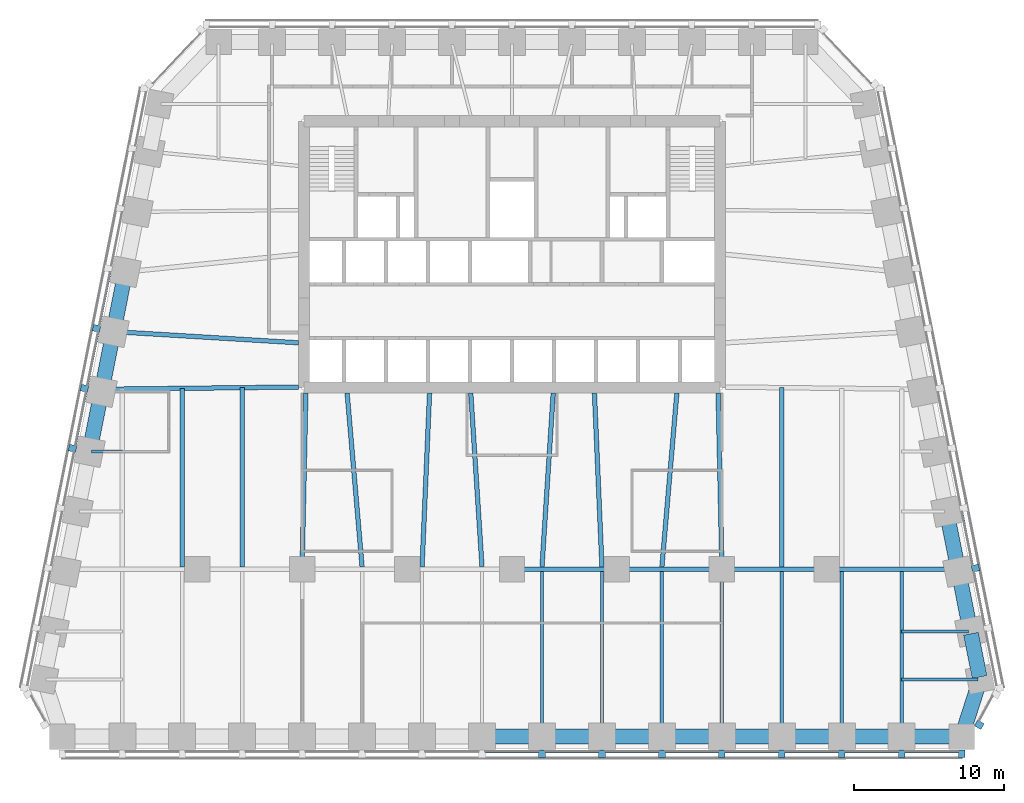
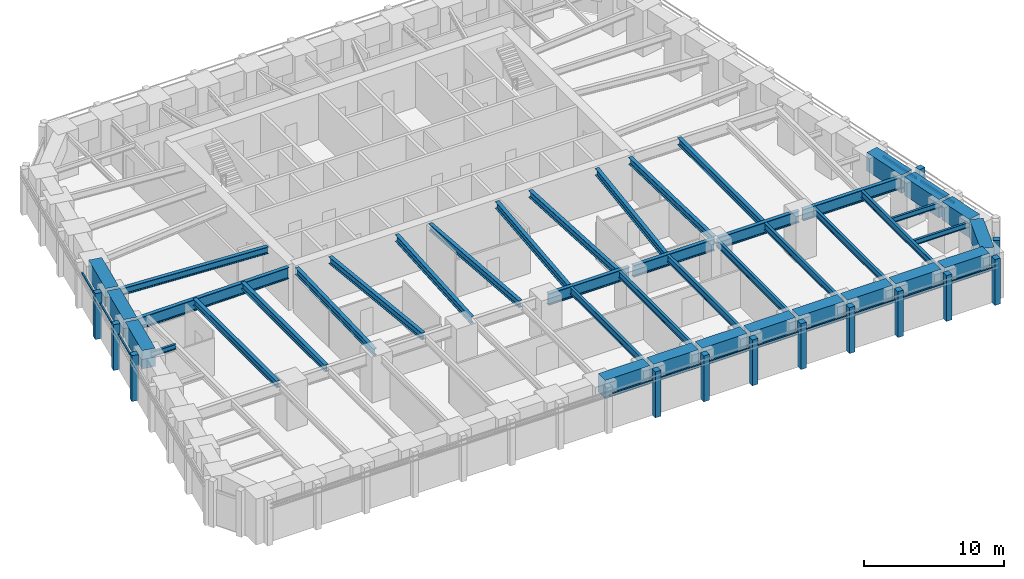
# One storey, part 2 of 9: 42 beams, 26 members, 4 elements without a shape of their own.
"""IFC4 building model written with IfcOpenShell, lengths in metres."""

from ifc_helpers import new_model, si_unit, direction, frame, origin, origin_2d, place, context, subcontext, project, spatial, rectangle, i_section, extrude, material, material_profile, profile_set, type_object, element, aggregate, save


model = new_model("IFC4")

# Units and contexts
model_context = context("Model", 3, precision=1e-05, world=origin(), true_north=direction((0.0, 1.0)))
body_context = subcontext(model_context, "Body", "Model", "MODEL_VIEW")
ifc_project = project(units=[si_unit("LENGTHUNIT", "METRE"), si_unit("AREAUNIT", "SQUARE_METRE"), si_unit("VOLUMEUNIT", "CUBIC_METRE"), si_unit("PLANEANGLEUNIT", "RADIAN"), si_unit("MASSUNIT", "GRAM", prefix="KILO")], contexts=[model_context])

# Site, building, storey
site_placement = place(None, origin())
site = spatial("IfcSite", under=ifc_project, at=site_placement, CompositionType="ELEMENT")
building_placement = place(site_placement, origin())
building = spatial("IfcBuilding", under=site, at=building_placement, Name="Isbrekke Arena Tower", CompositionType="ELEMENT")
storey_placement = place(building_placement, frame((0.0, 0.0, 127.0)))
storey = spatial("IfcBuildingStorey", under=building, at=storey_placement, Name="L28", CompositionType="ELEMENT", Elevation=127.0)

# Beams
ifc_material_1 = material(Name="Steel S355", Category="steel")
ifc_material_profile_1 = material_profile(ifc_material_1, i_section(OverallWidth=0.219970703125, OverallDepth=0.60009765625, WebThickness=0.011962890625, FlangeThickness=0.01904296875, FilletRadius=0.02392578125, at=origin_2d()), Name="IPE 600")
ifc_profile_set_1 = profile_set([ifc_material_profile_1], Name="Steel S355")
beam_type_1 = type_object("IfcBeamType", Name="B1 IPE 600", PredefinedType="BEAM", material=ifc_profile_set_1)
for number, where, z_axis, x_axis, name in (
    (1, (2.0, -17.02490234375, 3.550048828125), (0.0, 1.0, 0.0), (-1.0, 0.0, 0.0), "B1 beam S-S09 L28"),
    (2, (6.0, -17.02490234375, 3.550048828125), (0.0, 1.0, 0.0), (-1.0, 0.0, 0.0), "B1 beam S-S10 L28"),
    (3, (10.0, -17.02490234375, 3.550048828125), (0.0, 1.0, 0.0), (-1.0, 0.0, 0.0), "B1 beam S-S11 L28"),
):
    element("IfcBeam", number, at=place(storey_placement, frame(where, z_axis=z_axis, x_axis=x_axis)), inside=storey, type_object=beam_type_1, Name=name, PredefinedType="BEAM", context=body_context, shape_type="SweptSolid", body=[
        extrude(i_section(OverallWidth=0.219970703125, OverallDepth=0.60009765625, WebThickness=0.011962890625, FlangeThickness=0.01904296875, FilletRadius=0.02392578125, at=origin_2d()), origin(), (0.0, 0.0, 1.0), 10.8740234375),
    ])
beam_1_placement = place(storey_placement, frame((14.0, -17.02490234375, 3.550048828125), z_axis=(0.0, 1.0, 0.0), x_axis=(-1.0, 0.0, 0.0)))
element("IfcBeam", 4, at=beam_1_placement, inside=storey, type_object=beam_type_1, Name="B1 beam S-S12 L28", PredefinedType="BEAM", context=body_context, shape_type="SweptSolid", body=[
    extrude(i_section(OverallWidth=0.219970703125, OverallDepth=0.60009765625, WebThickness=0.011962890625, FlangeThickness=0.01904296875, FilletRadius=0.02392578125, at=origin_2d()), origin(), (0.0, 0.0, 1.0), 10.875),
])
for number, where, z_axis, x_axis, name in (
    (5, (18.0, -17.02490234375, 3.550048828125), (0.0, 1.0, 0.0), (-1.0, 0.0, 0.0), "B1 beam S-S13 L28"),
    (6, (22.0, -17.02490234375, 3.550048828125), (0.0, 1.0, 0.0), (-1.0, 0.0, 0.0), "B1 beam S-S14 L28"),
    (7, (26.0, -17.02490234375, 3.550048828125), (0.0, 1.0, 0.0), (-1.0, 0.0, 0.0), "B1 beam S-S15 L28"),
):
    element("IfcBeam", number, at=place(storey_placement, frame(where, z_axis=z_axis, x_axis=x_axis)), inside=storey, type_object=beam_type_1, Name=name, PredefinedType="BEAM", context=body_context, shape_type="SweptSolid", body=[
        extrude(i_section(OverallWidth=0.219970703125, OverallDepth=0.60009765625, WebThickness=0.011962890625, FlangeThickness=0.01904296875, FilletRadius=0.02392578125, at=origin_2d()), origin(), (0.0, 0.0, 1.0), 10.8740234375),
    ])
ifc_material_2 = material(Name="Steel S355", Category="steel")
ifc_material_profile_2 = material_profile(ifc_material_2, i_section(OverallWidth=0.18994140625, OverallDepth=0.449951171875, WebThickness=0.009521484375, FlangeThickness=0.0146484375, FilletRadius=0.02099609375, at=origin_2d()), Name="IPE 450")
ifc_profile_set_2 = profile_set([ifc_material_profile_2], Name="Steel S355")
beam_type_2 = type_object("IfcBeamType", Name="B2 IPE 450", PredefinedType="BEAM", material=ifc_profile_set_2)
beam_2_placement = place(storey_placement, frame((31.079345703125, -13.352783203125, 3.625), z_axis=(-1.0, 0.0, 0.0), x_axis=(0.0, -1.0, 0.0)))
element("IfcBeam", 8, at=beam_2_placement, inside=storey, type_object=beam_type_2, Name="B2 beam E-E01 L28", PredefinedType="BEAM", context=body_context, shape_type="SweptSolid", body=[
    extrude(i_section(OverallWidth=0.18994140625, OverallDepth=0.449951171875, WebThickness=0.009521484375, FlangeThickness=0.0146484375, FilletRadius=0.02099609375, at=origin_2d()), origin(), (0.0, 0.0, 1.0), 5.079345703125),
])
beam_3_placement = place(storey_placement, frame((30.44091796875, -10.161865234375, 3.625), z_axis=(-1.0, 0.0, 0.0), x_axis=(0.0, -1.0, 0.0)))
element("IfcBeam", 9, at=beam_3_placement, inside=storey, type_object=beam_type_2, Name="B2 beam E-E02 L28", PredefinedType="BEAM", context=body_context, shape_type="SweptSolid", body=[
    extrude(i_section(OverallWidth=0.18994140625, OverallDepth=0.449951171875, WebThickness=0.009521484375, FlangeThickness=0.0146484375, FilletRadius=0.02099609375, at=origin_2d()), origin(), (0.0, 0.0, 1.0), 4.44091796875),
])
beam_4_placement = place(storey_placement, frame((-28.041015625, 1.838134765625, 3.625), z_axis=(1.0, 0.0, 0.0), x_axis=(0.0, 1.0, 0.0)))
element("IfcBeam", 10, at=beam_4_placement, inside=storey, type_object=beam_type_2, Name="B2 beam E-W07 L28", PredefinedType="BEAM", context=body_context, shape_type="SweptSolid", body=[
    extrude(i_section(OverallWidth=0.18994140625, OverallDepth=0.449951171875, WebThickness=0.009521484375, FlangeThickness=0.0146484375, FilletRadius=0.02099609375, at=origin_2d()), origin(), (0.0, 0.0, 1.0), 2.041015625),
])
ifc_material_3 = material(Name="Steel S355", Category="steel")
ifc_material_profile_3 = material_profile(ifc_material_3, i_section(OverallWidth=0.300048828125, OverallDepth=0.60009765625, WebThickness=0.015380859375, FlangeThickness=0.030029296875, FilletRadius=0.027099609375, at=origin_2d()), Name="HEB 600")
ifc_profile_set_3 = profile_set([ifc_material_profile_3], Name="Steel S355")
beam_type_3 = type_object("IfcBeamType", Name="B7 HEB 600", PredefinedType="BEAM", material=ifc_profile_set_3)
beam_5_placement = place(storey_placement, frame((-22.0, -5.84912109375, 3.550048828125), z_axis=(0.0, 1.0, 0.0), x_axis=(-1.0, 0.0, 0.0)))
element("IfcBeam", 11, at=beam_5_placement, inside=storey, type_object=beam_type_3, Name="B7 beam C-M02 L28", PredefinedType="BEAM", context=body_context, shape_type="SweptSolid", body=[
    extrude(i_section(OverallWidth=0.300048828125, OverallDepth=0.60009765625, WebThickness=0.015380859375, FlangeThickness=0.030029296875, FilletRadius=0.027099609375, at=origin_2d()), origin(), (0.0, 0.0, 1.0), 11.91064453125),
])
beam_6_placement = place(storey_placement, frame((-18.0, -5.84912109375, 3.550048828125), z_axis=(0.0, 1.0, 0.0), x_axis=(-1.0, 0.0, 0.0)))
element("IfcBeam", 12, at=beam_6_placement, inside=storey, type_object=beam_type_3, Name="B7 beam C-M03 L28", PredefinedType="BEAM", context=body_context, shape_type="SweptSolid", body=[
    extrude(i_section(OverallWidth=0.300048828125, OverallDepth=0.60009765625, WebThickness=0.015380859375, FlangeThickness=0.030029296875, FilletRadius=0.027099609375, at=origin_2d()), origin(), (0.0, 0.0, 1.0), 11.956298828125),
])
beam_7_placement = place(storey_placement, frame((-14.0, -5.8466796875, 3.550048828125), z_axis=(0.021552887044, 0.999767709551, 0.0), x_axis=(-0.999767709551, 0.021552887044, 0.0)))
element("IfcBeam", 13, at=beam_7_placement, inside=storey, type_object=beam_type_3, Name="B7 beam C-M04 L28", PredefinedType="BEAM", context=body_context, shape_type="SweptSolid", body=[
    extrude(i_section(OverallWidth=0.300048828125, OverallDepth=0.60009765625, WebThickness=0.015380859375, FlangeThickness=0.030029296875, FilletRadius=0.027099609375, at=origin_2d()), origin(), (0.0, 0.0, 1.0), 11.599365234375),
])
beam_8_placement = place(storey_placement, frame((-10.001220703125, -5.836181640625, 3.550048828125), z_axis=(-0.085885827104, 0.996304985786, 0.0), x_axis=(-0.996304985786, -0.085885827104, 0.0)))
element("IfcBeam", 14, at=beam_8_placement, inside=storey, type_object=beam_type_3, Name="B7 beam C-M05 L28", PredefinedType="BEAM", context=body_context, shape_type="SweptSolid", body=[
    extrude(i_section(OverallWidth=0.300048828125, OverallDepth=0.60009765625, WebThickness=0.015380859375, FlangeThickness=0.030029296875, FilletRadius=0.027099609375, at=origin_2d()), origin(), (0.0, 0.0, 1.0), 11.629150390625),
])
beam_9_placement = place(storey_placement, frame((-5.999755859375, -5.842529296875, 3.550048828125), z_axis=(0.043070161667, 0.999072050041, 0.0), x_axis=(-0.999072050041, 0.043070161667, 0.0)))
element("IfcBeam", 15, at=beam_9_placement, inside=storey, type_object=beam_type_3, Name="B7 beam C-M06 L28", PredefinedType="BEAM", context=body_context, shape_type="SweptSolid", body=[
    extrude(i_section(OverallWidth=0.300048828125, OverallDepth=0.60009765625, WebThickness=0.015380859375, FlangeThickness=0.030029296875, FilletRadius=0.027099609375, at=origin_2d()), origin(), (0.0, 0.0, 1.0), 11.603271484375),
])
for number, where, z_axis, x_axis, name in (
    (16, (-2.000732421875, -5.83935546875, 3.550048828125), (-0.064516666031, 0.997916629686, 0.0), (-0.997916629686, -0.064516666031, 0.0), "B7 beam C-M07 L28"),
    (17, (2.000732421875, -5.83935546875, 3.550048828125), (0.064516666031, 0.997916629686, 0.0), (-0.997916629686, 0.064516666031, 0.0), "B7 beam C-M08 L28"),
):
    element("IfcBeam", number, at=place(storey_placement, frame(where, z_axis=z_axis, x_axis=x_axis)), inside=storey, type_object=beam_type_3, Name=name, PredefinedType="BEAM", context=body_context, shape_type="SweptSolid", body=[
        extrude(i_section(OverallWidth=0.300048828125, OverallDepth=0.60009765625, WebThickness=0.015380859375, FlangeThickness=0.030029296875, FilletRadius=0.027099609375, at=origin_2d()), origin(), (0.0, 0.0, 1.0), 11.613525390625),
    ])
beam_10_placement = place(storey_placement, frame((5.999755859375, -5.842529296875, 3.550048828125), z_axis=(-0.043070161667, 0.999072050041, 0.0), x_axis=(-0.999072050041, -0.043070161667, 0.0)))
element("IfcBeam", 18, at=beam_10_placement, inside=storey, type_object=beam_type_3, Name="B7 beam C-M09 L28", PredefinedType="BEAM", context=body_context, shape_type="SweptSolid", body=[
    extrude(i_section(OverallWidth=0.300048828125, OverallDepth=0.60009765625, WebThickness=0.015380859375, FlangeThickness=0.030029296875, FilletRadius=0.027099609375, at=origin_2d()), origin(), (0.0, 0.0, 1.0), 11.603271484375),
])
beam_11_placement = place(storey_placement, frame((10.001220703125, -5.836181640625, 3.550048828125), z_axis=(0.085885827104, 0.996304985786, 0.0), x_axis=(-0.996304985786, 0.085885827104, 0.0)))
element("IfcBeam", 19, at=beam_11_placement, inside=storey, type_object=beam_type_3, Name="B7 beam C-M10 L28", PredefinedType="BEAM", context=body_context, shape_type="SweptSolid", body=[
    extrude(i_section(OverallWidth=0.300048828125, OverallDepth=0.60009765625, WebThickness=0.015380859375, FlangeThickness=0.030029296875, FilletRadius=0.027099609375, at=origin_2d()), origin(), (0.0, 0.0, 1.0), 11.629150390625),
])
beam_12_placement = place(storey_placement, frame((14.0, -5.8466796875, 3.550048828125), z_axis=(-0.021552887044, 0.999767709551, 0.0), x_axis=(-0.999767709551, -0.021552887044, 0.0)))
element("IfcBeam", 20, at=beam_12_placement, inside=storey, type_object=beam_type_3, Name="B7 beam C-M11 L28", PredefinedType="BEAM", context=body_context, shape_type="SweptSolid", body=[
    extrude(i_section(OverallWidth=0.300048828125, OverallDepth=0.60009765625, WebThickness=0.015380859375, FlangeThickness=0.030029296875, FilletRadius=0.027099609375, at=origin_2d()), origin(), (0.0, 0.0, 1.0), 11.599365234375),
])
beam_13_placement = place(storey_placement, frame((18.0, -5.84912109375, 3.550048828125), z_axis=(0.0, 1.0, 0.0), x_axis=(-1.0, 0.0, 0.0)))
element("IfcBeam", 21, at=beam_13_placement, inside=storey, type_object=beam_type_3, Name="B7 beam C-M12 L28", PredefinedType="BEAM", context=body_context, shape_type="SweptSolid", body=[
    extrude(i_section(OverallWidth=0.300048828125, OverallDepth=0.60009765625, WebThickness=0.015380859375, FlangeThickness=0.030029296875, FilletRadius=0.027099609375, at=origin_2d()), origin(), (0.0, 0.0, 1.0), 11.956298828125),
])
beam_14_placement = place(storey_placement, frame((-26.431884765625, 9.837646484375, 3.550048828125), z_axis=(0.998172191876, -0.060434057993, 0.0), x_axis=(0.060434057993, 0.998172191876, 0.0)))
element("IfcBeam", 22, at=beam_14_placement, inside=storey, type_object=beam_type_3, Name="B7 beam E-W05 L28", PredefinedType="BEAM", context=body_context, shape_type="SweptSolid", body=[
    extrude(i_section(OverallWidth=0.300048828125, OverallDepth=0.60009765625, WebThickness=0.015380859375, FlangeThickness=0.030029296875, FilletRadius=0.027099609375, at=origin_2d()), origin(), (0.0, 0.0, 1.0), 12.2041015625),
])

# Curtain wall, members
ifc_material_4 = material(Name="Glazed aluminium curtain wall", Category="aluminium")
curtain_wall_type = type_object("IfcCurtainWallType", Name="CWM TOWER CURTAIN WALL MID ZONE", PredefinedType="USERDEFINED", material=ifc_material_4)
curtain_wall_1_placement = place(storey_placement, origin())
curtain_wall_1 = element("IfcCurtainWall", 23, at=curtain_wall_1_placement, inside=storey, type_object=curtain_wall_type, Name="CWM curtain wall L28-S", ObjectType="TOWER CURTAIN WALL MID ZONE", PredefinedType="USERDEFINED")
ifc_material_5 = material(Name="Aluminium mullion, pale brick slip cladding", Category="masonry")
ifc_material_profile_4 = material_profile(ifc_material_5, rectangle(XDim=0.449951171875, YDim=0.5, at=origin_2d()), Name="PIER 450X500")
ifc_profile_set_4 = profile_set([ifc_material_profile_4], Name="Aluminium mullion, pale brick slip cladding")
member_type_1 = type_object("IfcMemberType", Name="CWM-M PIER MULLION 450 x 500", PredefinedType="MULLION", material=ifc_profile_set_4)
member_1_placement = place(storey_placement, frame((2.0, -18.324951171875, 0.0), z_axis=(0.0, 0.0, 1.0), x_axis=(1.0, 0.0, 0.0)))
member_1 = element("IfcMember", 24, at=member_1_placement, type_object=member_type_1, Name="CWM-M mullion 9", PredefinedType="MULLION", context=body_context, shape_type="SweptSolid", body=[
    extrude(rectangle(XDim=0.449951171875, YDim=0.5, at=origin_2d()), origin(), (0.0, 0.0, 1.0), 4.0),
])
member_2_placement = place(storey_placement, frame((6.0, -18.324951171875, 0.0), z_axis=(0.0, 0.0, 1.0), x_axis=(1.0, 0.0, 0.0)))
member_2 = element("IfcMember", 25, at=member_2_placement, type_object=member_type_1, Name="CWM-M mullion 10", PredefinedType="MULLION", context=body_context, shape_type="SweptSolid", body=[
    extrude(rectangle(XDim=0.449951171875, YDim=0.5, at=origin_2d()), origin(), (0.0, 0.0, 1.0), 4.0),
])
member_3_placement = place(storey_placement, frame((10.0, -18.324951171875, 0.0), z_axis=(0.0, 0.0, 1.0), x_axis=(1.0, 0.0, 0.0)))
member_3 = element("IfcMember", 26, at=member_3_placement, type_object=member_type_1, Name="CWM-M mullion 11", PredefinedType="MULLION", context=body_context, shape_type="SweptSolid", body=[
    extrude(rectangle(XDim=0.449951171875, YDim=0.5, at=origin_2d()), origin(), (0.0, 0.0, 1.0), 4.0),
])
member_4_placement = place(storey_placement, frame((14.0, -18.324951171875, 0.0), z_axis=(0.0, 0.0, 1.0), x_axis=(1.0, 0.0, 0.0)))
member_4 = element("IfcMember", 27, at=member_4_placement, type_object=member_type_1, Name="CWM-M mullion 12", PredefinedType="MULLION", context=body_context, shape_type="SweptSolid", body=[
    extrude(rectangle(XDim=0.449951171875, YDim=0.5, at=origin_2d()), origin(), (0.0, 0.0, 1.0), 4.0),
])
member_5_placement = place(storey_placement, frame((18.0, -18.324951171875, 0.0), z_axis=(0.0, 0.0, 1.0), x_axis=(1.0, 0.0, 0.0)))
member_5 = element("IfcMember", 28, at=member_5_placement, type_object=member_type_1, Name="CWM-M mullion 13", PredefinedType="MULLION", context=body_context, shape_type="SweptSolid", body=[
    extrude(rectangle(XDim=0.449951171875, YDim=0.5, at=origin_2d()), origin(), (0.0, 0.0, 1.0), 4.0),
])
member_6_placement = place(storey_placement, frame((22.0, -18.324951171875, 0.0), z_axis=(0.0, 0.0, 1.0), x_axis=(1.0, 0.0, 0.0)))
member_6 = element("IfcMember", 29, at=member_6_placement, type_object=member_type_1, Name="CWM-M mullion 14", PredefinedType="MULLION", context=body_context, shape_type="SweptSolid", body=[
    extrude(rectangle(XDim=0.449951171875, YDim=0.5, at=origin_2d()), origin(), (0.0, 0.0, 1.0), 4.0),
])
member_7_placement = place(storey_placement, frame((26.0, -18.324951171875, 0.0), z_axis=(0.0, 0.0, 1.0), x_axis=(1.0, 0.0, 0.0)))
member_7 = element("IfcMember", 30, at=member_7_placement, type_object=member_type_1, Name="CWM-M mullion 15", PredefinedType="MULLION", context=body_context, shape_type="SweptSolid", body=[
    extrude(rectangle(XDim=0.449951171875, YDim=0.5, at=origin_2d()), origin(), (0.0, 0.0, 1.0), 4.0),
])
member_8_placement = place(storey_placement, frame((30.0, -18.324951171875, 0.0), z_axis=(0.0, 0.0, 1.0), x_axis=(1.0, 0.0, 0.0)))
member_8 = element("IfcMember", 31, at=member_8_placement, type_object=member_type_1, Name="CWM-M mullion 16", PredefinedType="MULLION", context=body_context, shape_type="SweptSolid", body=[
    extrude(rectangle(XDim=0.449951171875, YDim=0.5, at=origin_2d()), origin(), (0.0, 0.0, 1.0), 4.0),
])

# Curtain wall, member
curtain_wall_2_placement = place(storey_placement, origin())
curtain_wall_2 = element("IfcCurtainWall", 32, at=curtain_wall_2_placement, inside=storey, type_object=curtain_wall_type, Name="CWM curtain wall L28-SE", ObjectType="TOWER CURTAIN WALL MID ZONE", PredefinedType="USERDEFINED")
member_9_placement = place(storey_placement, frame((31.17529296875, -16.382080078125, 0.0), z_axis=(0.0, 0.0, 1.0), x_axis=(0.481918749773, 0.876215908676, 0.0)))
member_9 = element("IfcMember", 33, at=member_9_placement, type_object=member_type_1, Name="CWM-M mullion 1", PredefinedType="MULLION", context=body_context, shape_type="SweptSolid", body=[
    extrude(rectangle(XDim=0.449951171875, YDim=0.5, at=origin_2d()), origin(), (0.0, 0.0, 1.0), 4.0),
])
aggregate(curtain_wall_2, [member_9])

curtain_wall_3_placement = place(storey_placement, origin())
curtain_wall_3 = element("IfcCurtainWall", 34, at=curtain_wall_3_placement, inside=storey, type_object=curtain_wall_type, Name="CWM curtain wall L28-E", ObjectType="TOWER CURTAIN WALL MID ZONE", PredefinedType="USERDEFINED")
member_10_placement = place(storey_placement, frame((30.918701171875, -5.936279296875, 0.0), z_axis=(0.0, 0.0, 1.0), x_axis=(-0.196116135138, 0.980580675691, 0.0)))
member_10 = element("IfcMember", 35, at=member_10_placement, type_object=member_type_1, Name="CWM-M mullion 3", PredefinedType="MULLION", context=body_context, shape_type="SweptSolid", body=[
    extrude(rectangle(XDim=0.449951171875, YDim=0.5, at=origin_2d()), origin(), (0.0, 0.0, 1.0), 4.0),
])

# Curtain wall, members
curtain_wall_4_placement = place(storey_placement, origin())
curtain_wall_4 = element("IfcCurtainWall", 36, at=curtain_wall_4_placement, inside=storey, type_object=curtain_wall_type, Name="CWM curtain wall L28-W", ObjectType="TOWER CURTAIN WALL MID ZONE", PredefinedType="USERDEFINED")
member_11_placement = place(storey_placement, frame((-27.71875, 10.063720703125, 0.0), z_axis=(0.0, 0.0, 1.0), x_axis=(-0.196116135138, -0.980580675691, 0.0)))
member_11 = element("IfcMember", 37, at=member_11_placement, type_object=member_type_1, Name="CWM-M mullion 5", PredefinedType="MULLION", context=body_context, shape_type="SweptSolid", body=[
    extrude(rectangle(XDim=0.449951171875, YDim=0.5, at=origin_2d()), origin(), (0.0, 0.0, 1.0), 4.0),
])
member_12_placement = place(storey_placement, frame((-28.518798828125, 6.063720703125, 0.0), z_axis=(0.0, 0.0, 1.0), x_axis=(-0.196116135138, -0.980580675691, 0.0)))
member_12 = element("IfcMember", 38, at=member_12_placement, type_object=member_type_1, Name="CWM-M mullion 6", PredefinedType="MULLION", context=body_context, shape_type="SweptSolid", body=[
    extrude(rectangle(XDim=0.449951171875, YDim=0.5, at=origin_2d()), origin(), (0.0, 0.0, 1.0), 4.0),
])
member_13_placement = place(storey_placement, frame((-29.318603515625, 2.063720703125, 0.0), z_axis=(0.0, 0.0, 1.0), x_axis=(-0.196116135138, -0.980580675691, 0.0)))
member_13 = element("IfcMember", 39, at=member_13_placement, type_object=member_type_1, Name="CWM-M mullion 7", PredefinedType="MULLION", context=body_context, shape_type="SweptSolid", body=[
    extrude(rectangle(XDim=0.449951171875, YDim=0.5, at=origin_2d()), origin(), (0.0, 0.0, 1.0), 4.0),
])

# Member
ifc_material_6 = material(Name="Aluminium transom", Category="aluminium")
ifc_material_profile_5 = material_profile(ifc_material_6, rectangle(XDim=0.1201171875, YDim=0.199951171875, at=origin_2d()), Name="TRANSOM 120X200")
ifc_profile_set_5 = profile_set([ifc_material_profile_5], Name="Aluminium transom")
member_type_2 = type_object("IfcMemberType", Name="CWM-T TRANSOM 120 x 200", PredefinedType="USERDEFINED", material=ifc_profile_set_5)
member_14_placement = place(storey_placement, frame((-1.77490234375, -18.175048828125, 3.0), z_axis=(1.0, 0.0, 0.0), x_axis=(0.0, 1.0, 0.0)))
member_14 = element("IfcMember", 40, at=member_14_placement, type_object=member_type_2, Name="CWM-T transom 8", ObjectType="TRANSOM", PredefinedType="USERDEFINED", context=body_context, shape_type="SweptSolid", body=[
    extrude(rectangle(XDim=0.1201171875, YDim=0.199951171875, at=origin_2d()), origin(), (0.0, 0.0, 1.0), 3.5498046875),
])

member_15_placement = place(storey_placement, frame((2.22509765625, -18.175048828125, 3.0), z_axis=(1.0, 0.0, 0.0), x_axis=(0.0, 1.0, 0.0)))
member_15 = element("IfcMember", 41, at=member_15_placement, type_object=member_type_2, Name="CWM-T transom 9", ObjectType="TRANSOM", PredefinedType="USERDEFINED", context=body_context, shape_type="SweptSolid", body=[
    extrude(rectangle(XDim=0.1201171875, YDim=0.199951171875, at=origin_2d()), origin(), (0.0, 0.0, 1.0), 3.5498046875),
])

member_16_placement = place(storey_placement, frame((6.22509765625, -18.175048828125, 3.0), z_axis=(1.0, 0.0, 0.0), x_axis=(0.0, 1.0, 0.0)))
member_16 = element("IfcMember", 42, at=member_16_placement, type_object=member_type_2, Name="CWM-T transom 10", ObjectType="TRANSOM", PredefinedType="USERDEFINED", context=body_context, shape_type="SweptSolid", body=[
    extrude(rectangle(XDim=0.1201171875, YDim=0.199951171875, at=origin_2d()), origin(), (0.0, 0.0, 1.0), 3.5498046875),
])

member_17_placement = place(storey_placement, frame((10.22509765625, -18.175048828125, 3.0), z_axis=(1.0, 0.0, 0.0), x_axis=(0.0, 1.0, 0.0)))
member_17 = element("IfcMember", 43, at=member_17_placement, type_object=member_type_2, Name="CWM-T transom 11", ObjectType="TRANSOM", PredefinedType="USERDEFINED", context=body_context, shape_type="SweptSolid", body=[
    extrude(rectangle(XDim=0.1201171875, YDim=0.199951171875, at=origin_2d()), origin(), (0.0, 0.0, 1.0), 3.5498046875),
])

member_18_placement = place(storey_placement, frame((14.22509765625, -18.175048828125, 3.0), z_axis=(1.0, 0.0, 0.0), x_axis=(0.0, 1.0, 0.0)))
member_18 = element("IfcMember", 44, at=member_18_placement, type_object=member_type_2, Name="CWM-T transom 12", ObjectType="TRANSOM", PredefinedType="USERDEFINED", context=body_context, shape_type="SweptSolid", body=[
    extrude(rectangle(XDim=0.1201171875, YDim=0.199951171875, at=origin_2d()), origin(), (0.0, 0.0, 1.0), 3.5498046875),
])

member_19_placement = place(storey_placement, frame((18.22509765625, -18.175048828125, 3.0), z_axis=(1.0, 0.0, 0.0), x_axis=(0.0, 1.0, 0.0)))
member_19 = element("IfcMember", 45, at=member_19_placement, type_object=member_type_2, Name="CWM-T transom 13", ObjectType="TRANSOM", PredefinedType="USERDEFINED", context=body_context, shape_type="SweptSolid", body=[
    extrude(rectangle(XDim=0.1201171875, YDim=0.199951171875, at=origin_2d()), origin(), (0.0, 0.0, 1.0), 3.5498046875),
])

member_20_placement = place(storey_placement, frame((22.22509765625, -18.175048828125, 3.0), z_axis=(1.0, 0.0, 0.0), x_axis=(0.0, 1.0, 0.0)))
member_20 = element("IfcMember", 46, at=member_20_placement, type_object=member_type_2, Name="CWM-T transom 14", ObjectType="TRANSOM", PredefinedType="USERDEFINED", context=body_context, shape_type="SweptSolid", body=[
    extrude(rectangle(XDim=0.1201171875, YDim=0.199951171875, at=origin_2d()), origin(), (0.0, 0.0, 1.0), 3.5498046875),
])

member_21_placement = place(storey_placement, frame((26.22509765625, -18.175048828125, 3.0), z_axis=(1.0, 0.0, 0.0), x_axis=(0.0, 1.0, 0.0)))
member_21 = element("IfcMember", 47, at=member_21_placement, type_object=member_type_2, Name="CWM-T transom 15", ObjectType="TRANSOM", PredefinedType="USERDEFINED", context=body_context, shape_type="SweptSolid", body=[
    extrude(rectangle(XDim=0.1201171875, YDim=0.199951171875, at=origin_2d()), origin(), (0.0, 0.0, 1.0), 3.5498046875),
])

aggregate(curtain_wall_1, [member_1, member_2, member_3, member_4, member_5, member_6, member_7, member_8, member_14, member_15, member_16, member_17, member_18, member_19, member_20, member_21])

member_22_placement = place(storey_placement, frame((31.527587890625, -9.7451171875, 3.0), z_axis=(-0.196154943734, 0.980572913173, 0.0), x_axis=(-0.980572913173, -0.196154943734, 0.0)))
member_22 = element("IfcMember", 48, at=member_22_placement, type_object=member_type_2, Name="CWM-T transom 2", ObjectType="TRANSOM", PredefinedType="USERDEFINED", context=body_context, shape_type="SweptSolid", body=[
    extrude(rectangle(XDim=0.1201171875, YDim=0.199951171875, at=origin_2d()), origin(), (0.0, 0.0, 1.0), 3.62939453125),
])

member_23_placement = place(storey_placement, frame((30.7275390625, -5.7451171875, 3.0), z_axis=(-0.196154943734, 0.980572913173, 0.0), x_axis=(-0.980572913173, -0.196154943734, 0.0)))
member_23 = element("IfcMember", 49, at=member_23_placement, type_object=member_type_2, Name="CWM-T transom 3", ObjectType="TRANSOM", PredefinedType="USERDEFINED", context=body_context, shape_type="SweptSolid", body=[
    extrude(rectangle(XDim=0.1201171875, YDim=0.199951171875, at=origin_2d()), origin(), (0.0, 0.0, 1.0), 3.62939453125),
])

aggregate(curtain_wall_3, [member_10, member_22, member_23])

member_24_placement = place(storey_placement, frame((-26.815673828125, 13.813720703125, 3.0), z_axis=(-0.196154943734, -0.980572913173, 0.0), x_axis=(0.980572913173, -0.196154943734, 0.0)))
member_24 = element("IfcMember", 50, at=member_24_placement, type_object=member_type_2, Name="CWM-T transom 4", ObjectType="TRANSOM", PredefinedType="USERDEFINED", context=body_context, shape_type="SweptSolid", body=[
    extrude(rectangle(XDim=0.1201171875, YDim=0.199951171875, at=origin_2d()), origin(), (0.0, 0.0, 1.0), 3.62939453125),
])

member_25_placement = place(storey_placement, frame((-27.61572265625, 9.813720703125, 3.0), z_axis=(-0.196090262229, -0.980585849918, 0.0), x_axis=(0.980585849918, -0.196090262229, 0.0)))
member_25 = element("IfcMember", 51, at=member_25_placement, type_object=member_type_2, Name="CWM-T transom 5", ObjectType="TRANSOM", PredefinedType="USERDEFINED", context=body_context, shape_type="SweptSolid", body=[
    extrude(rectangle(XDim=0.1201171875, YDim=0.199951171875, at=origin_2d()), origin(), (0.0, 0.0, 1.0), 3.62939453125),
])

member_26_placement = place(storey_placement, frame((-28.415771484375, 5.813720703125, 3.0), z_axis=(-0.196090262229, -0.980585849918, 0.0), x_axis=(0.980585849918, -0.196090262229, 0.0)))
member_26 = element("IfcMember", 52, at=member_26_placement, type_object=member_type_2, Name="CWM-T transom 6", ObjectType="TRANSOM", PredefinedType="USERDEFINED", context=body_context, shape_type="SweptSolid", body=[
    extrude(rectangle(XDim=0.1201171875, YDim=0.199951171875, at=origin_2d()), origin(), (0.0, 0.0, 1.0), 3.62939453125),
])

aggregate(curtain_wall_4, [member_11, member_12, member_13, member_24, member_25, member_26])

# Beams
ifc_material_7 = material(Name="Steel S355", Category="steel")
ifc_material_profile_6 = material_profile(ifc_material_7, i_section(OverallWidth=0.302001953125, OverallDepth=1.008056640625, WebThickness=0.02099609375, FlangeThickness=0.0400390625, FilletRadius=0.030029296875, at=origin_2d()), Name="HEM 1000")
ifc_profile_set_6 = profile_set([ifc_material_profile_6], Name="Steel S355")
beam_type_4 = type_object("IfcBeamType", Name="G1 HEM 1000", PredefinedType="BEAM", material=ifc_profile_set_6)
for number, where, z_axis, x_axis, name in (
    (53, (0.14990234375, -6.0, 3.345947265625), (1.0, 0.0, 0.0), (0.0, 1.0, 0.0), "G1 beam G1-05 L28"),
    (54, (7.14990234375, -6.0, 3.345947265625), (1.0, 0.0, 0.0), (0.0, 1.0, 0.0), "G1 beam G1-06 L28"),
    (55, (14.14990234375, -6.0, 3.345947265625), (1.0, 0.0, 0.0), (0.0, 1.0, 0.0), "G1 beam G1-07 L28"),
):
    element("IfcBeam", number, at=place(storey_placement, frame(where, z_axis=z_axis, x_axis=x_axis)), inside=storey, type_object=beam_type_4, Name=name, PredefinedType="BEAM", context=body_context, shape_type="SweptSolid", body=[
        extrude(i_section(OverallWidth=0.302001953125, OverallDepth=1.008056640625, WebThickness=0.02099609375, FlangeThickness=0.0400390625, FilletRadius=0.030029296875, at=origin_2d()), origin(), (0.0, 0.0, 1.0), 6.7001953125),
    ])
beam_15_placement = place(storey_placement, frame((21.14990234375, -6.0, 3.345947265625), z_axis=(1.0, 0.0, 0.0), x_axis=(0.0, 1.0, 0.0)))
element("IfcBeam", 56, at=beam_15_placement, inside=storey, type_object=beam_type_4, Name="G1 beam G1-08 L28", PredefinedType="BEAM", context=body_context, shape_type="SweptSolid", body=[
    extrude(i_section(OverallWidth=0.302001953125, OverallDepth=1.008056640625, WebThickness=0.02099609375, FlangeThickness=0.0400390625, FilletRadius=0.030029296875, at=origin_2d()), origin(), (0.0, 0.0, 1.0), 8.64111328125),
])
ifc_material_8 = material(Name="Steel S355", Category="steel")
ifc_material_profile_7 = material_profile(ifc_material_8, i_section(OverallWidth=0.302001953125, OverallDepth=1.008056640625, WebThickness=0.02099609375, FlangeThickness=0.0400390625, FilletRadius=0.030029296875, at=origin_2d()), Name="HEM 1000")
ifc_profile_set_7 = profile_set([ifc_material_profile_7], Name="Steel S355")
beam_type_5 = type_object("IfcBeamType", Name="G2 HEM 1000", PredefinedType="BEAM", material=ifc_profile_set_7)
beam_16_placement = place(storey_placement, frame((-14.25, 6.14990234375, 3.345947265625), z_axis=(-0.999934928157, -0.011407867963, 0.0), x_axis=(0.011407867963, -0.999934928157, 0.0)))
element("IfcBeam", 57, at=beam_16_placement, inside=storey, type_object=beam_type_5, Name="G2 beam G2-W L28", PredefinedType="BEAM", context=body_context, shape_type="SweptSolid", body=[
    extrude(i_section(OverallWidth=0.302001953125, OverallDepth=1.008056640625, WebThickness=0.02099609375, FlangeThickness=0.0400390625, FilletRadius=0.030029296875, at=origin_2d()), origin(), (0.0, 0.0, 1.0), 13.140380859375),
])
ifc_material_9 = material(Name="Concrete B80 (C80/95)", Category="concrete")
ifc_material_profile_8 = material_profile(ifc_material_9, rectangle(XDim=1.0, YDim=1.60009765625, at=origin_2d()), Name="RC 1000x1600")
ifc_profile_set_8 = profile_set([ifc_material_profile_8], Name="Concrete B80 (C80/95)")
beam_type_6 = type_object("IfcBeamType", Name="SB2 RC 1000 x 1600", PredefinedType="SPANDREL", material=ifc_profile_set_8)
for number, where, z_axis, x_axis, name in (
    (58, (-1.85009765625, -17.175048828125, 3.199951171875), (1.0, 0.0, 0.0), (0.0, 1.0, 0.0), "SB2 spandrel S08-S09 L28"),
    (59, (2.14990234375, -17.175048828125, 3.199951171875), (1.0, 0.0, 0.0), (0.0, 1.0, 0.0), "SB2 spandrel S09-S10 L28"),
    (60, (6.14990234375, -17.175048828125, 3.199951171875), (1.0, 0.0, 0.0), (0.0, 1.0, 0.0), "SB2 spandrel S10-S11 L28"),
    (61, (10.14990234375, -17.175048828125, 3.199951171875), (1.0, 0.0, 0.0), (0.0, 1.0, 0.0), "SB2 spandrel S11-S12 L28"),
    (62, (14.14990234375, -17.175048828125, 3.199951171875), (1.0, 0.0, 0.0), (0.0, 1.0, 0.0), "SB2 spandrel S12-S13 L28"),
    (63, (18.14990234375, -17.175048828125, 3.199951171875), (1.0, 0.0, 0.0), (0.0, 1.0, 0.0), "SB2 spandrel S13-S14 L28"),
    (64, (22.14990234375, -17.175048828125, 3.199951171875), (1.0, 0.0, 0.0), (0.0, 1.0, 0.0), "SB2 spandrel S14-S15 L28"),
    (65, (26.14990234375, -17.175048828125, 3.199951171875), (1.0, 0.0, 0.0), (0.0, 1.0, 0.0), "SB2 spandrel S15-S16 L28"),
):
    element("IfcBeam", number, at=place(storey_placement, frame(where, z_axis=z_axis, x_axis=x_axis)), inside=storey, type_object=beam_type_6, Name=name, PredefinedType="SPANDREL", context=body_context, shape_type="SweptSolid", body=[
        extrude(rectangle(XDim=1.0, YDim=1.60009765625, at=origin_2d()), origin(), (0.0, 0.0, 1.0), 3.7001953125),
    ])
beam_17_placement = place(storey_placement, frame((30.0458984375, -17.0322265625, 3.199951171875), z_axis=(0.306175101476, 0.951975213562, 0.0), x_axis=(-0.951975213562, 0.306175101476, 0.0)))
element("IfcBeam", 66, at=beam_17_placement, inside=storey, type_object=beam_type_6, Name="SB2 spandrel S16-E01 L28", PredefinedType="SPANDREL", context=body_context, shape_type="SweptSolid", body=[
    extrude(rectangle(XDim=1.0, YDim=1.60009765625, at=origin_2d()), origin(), (0.0, 0.0, 1.0), 3.715087890625),
])
beam_18_placement = place(storey_placement, frame((31.19970703125, -13.205810546875, 3.199951171875), z_axis=(-0.196100243168, 0.980583853951, 0.0), x_axis=(-0.980583853951, -0.196100243168, 0.0)))
element("IfcBeam", 67, at=beam_18_placement, inside=storey, type_object=beam_type_6, Name="SB2 spandrel E01-E02 L28", PredefinedType="SPANDREL", context=body_context, shape_type="SweptSolid", body=[
    extrude(rectangle(XDim=1.0, YDim=1.60009765625, at=origin_2d()), origin(), (0.0, 0.0, 1.0), 2.954345703125),
])
beam_19_placement = place(storey_placement, frame((30.5615234375, -10.0146484375, 3.199951171875), z_axis=(-0.1960664412, 0.980590613169, 0.0), x_axis=(-0.980590613169, -0.1960664412, 0.0)))
element("IfcBeam", 68, at=beam_19_placement, inside=storey, type_object=beam_type_6, Name="SB2 spandrel E02-E03 L28", PredefinedType="SPANDREL", context=body_context, shape_type="SweptSolid", body=[
    extrude(rectangle(XDim=1.0, YDim=1.60009765625, at=origin_2d()), origin(), (0.0, 0.0, 1.0), 3.779052734375),
])
beam_20_placement = place(storey_placement, frame((29.76171875, -6.0146484375, 3.199951171875), z_axis=(-0.196128558387, 0.980578190959, 0.0), x_axis=(-0.980578190959, -0.196128558387, 0.0)))
element("IfcBeam", 69, at=beam_20_placement, inside=storey, type_object=beam_type_6, Name="SB2 spandrel E03-E04 L28", PredefinedType="SPANDREL", context=body_context, shape_type="SweptSolid", body=[
    extrude(rectangle(XDim=1.0, YDim=1.60009765625, at=origin_2d()), origin(), (0.0, 0.0, 1.0), 3.779296875),
])
beam_21_placement = place(storey_placement, frame((-25.820556640625, 13.691162109375, 3.199951171875), z_axis=(-0.1960664412, -0.980590613169, 0.0), x_axis=(0.980590613169, -0.1960664412, 0.0)))
element("IfcBeam", 70, at=beam_21_placement, inside=storey, type_object=beam_type_6, Name="SB2 spandrel W04-W05 L28", PredefinedType="SPANDREL", context=body_context, shape_type="SweptSolid", body=[
    extrude(rectangle(XDim=1.0, YDim=1.60009765625, at=origin_2d()), origin(), (0.0, 0.0, 1.0), 3.779052734375),
])
for number, where, z_axis, x_axis, name in (
    (71, (-26.620361328125, 9.691162109375, 3.199951171875), (-0.196128558387, -0.980578190959, 0.0), (0.980578190959, -0.196128558387, 0.0), "SB2 spandrel W05-W06 L28"),
    (72, (-27.42041015625, 5.691162109375, 3.199951171875), (-0.196128558387, -0.980578190959, 0.0), (0.980578190959, -0.196128558387, 0.0), "SB2 spandrel W06-W07 L28"),
):
    element("IfcBeam", number, at=place(storey_placement, frame(where, z_axis=z_axis, x_axis=x_axis)), inside=storey, type_object=beam_type_6, Name=name, PredefinedType="SPANDREL", context=body_context, shape_type="SweptSolid", body=[
        extrude(rectangle(XDim=1.0, YDim=1.60009765625, at=origin_2d()), origin(), (0.0, 0.0, 1.0), 3.779296875),
    ])

save(model, "model.ifc")
